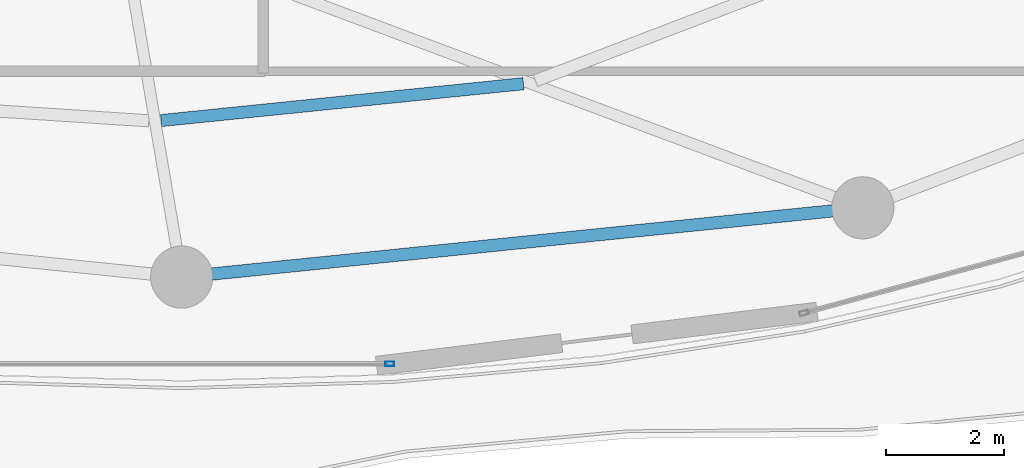
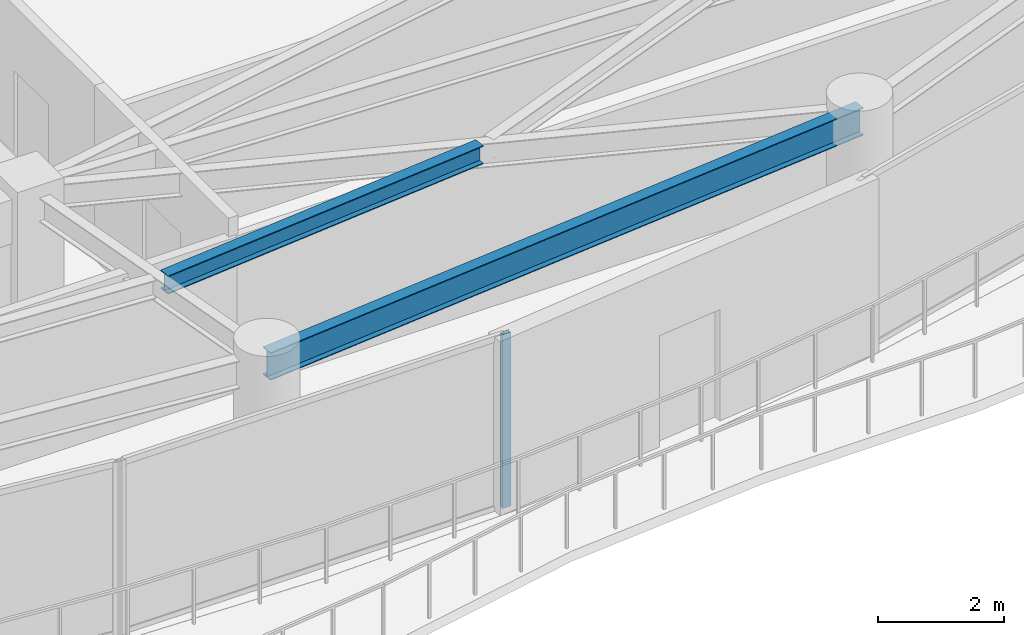
# One storey, part 9 of 28: 2 beams, 1 member, 1 element without a shape of its own.
"""IFC4 building model written with IfcOpenShell, lengths in metres."""

from ifc_helpers import new_model, si_unit, direction, frame, origin, origin_2d, place, context, subcontext, project, spatial, hollow_rectangle, i_section, extrude, material, layer, layer_set, material_profile, profile_set, type_object, element, aggregate, save


model = new_model("IFC4")

# Units and contexts
model_context = context("Model", 3, precision=1e-05, world=origin(), true_north=direction((0.0, 1.0)))
body_context = subcontext(model_context, "Body", "Model", "MODEL_VIEW")
ifc_project = project(units=[si_unit("LENGTHUNIT", "METRE"), si_unit("AREAUNIT", "SQUARE_METRE"), si_unit("VOLUMEUNIT", "CUBIC_METRE"), si_unit("PLANEANGLEUNIT", "RADIAN"), si_unit("MASSUNIT", "GRAM", prefix="KILO")], contexts=[model_context])

# Site, building, storey
site_placement = place(None, origin())
site = spatial("IfcSite", under=ifc_project, at=site_placement, CompositionType="ELEMENT")
building_placement = place(site_placement, origin())
building = spatial("IfcBuilding", under=site, at=building_placement, Name="Kazevale Care Tower and Concert Hall", CompositionType="ELEMENT")
storey_placement = place(building_placement, frame((0.0, 0.0, 246.0)))
storey = spatial("IfcBuildingStorey", under=building, at=storey_placement, Name="L65", CompositionType="ELEMENT", Elevation=246.0)

# Curtain wall, member
ifc_material_1 = material(Name="Aluminium 6063-T6 and Low-E Glass", Category="aluminium")
ifc_layer = layer(ifc_material_1, 0.179931640625)
ifc_layer_set = layer_set([ifc_layer], Name="Aluminium 6063-T6 and Low-E Glass")
curtain_wall_type = type_object("IfcCurtainWallType", Name="Sheltered Concave Balcony Curtain Wall CW-5", PredefinedType="NOTDEFINED", material=ifc_layer_set)
curtain_wall_placement = place(storey_placement, origin())
curtain_wall = element("IfcCurtainWall", 1, at=curtain_wall_placement, inside=storey, type_object=curtain_wall_type, Name="cw:L65:f06", PredefinedType="NOTDEFINED")
ifc_material_2 = material(Name="Aluminium 6063-T6", Category="aluminium")
ifc_material_profile_1 = material_profile(ifc_material_2, hollow_rectangle(XDim=0.074951171875, YDim=0.14990234375, WallThickness=0.00390625, at=origin_2d()), Name="ALU75x150x4")
ifc_profile_set_1 = profile_set([ifc_material_profile_1], Name="Aluminium 6063-T6")
member_type = type_object("IfcMemberType", Name="CW-5 Mullion ALU75x150x4", PredefinedType="MULLION", material=ifc_profile_set_1)
member_placement = place(storey_placement, frame((48.512451171875, 16.284912109375, 0.0), z_axis=(0.0, 0.0, 1.0), x_axis=(0.0, -1.0, 0.0)))
member = element("IfcMember", 2, at=member_placement, type_object=member_type, Name="CW-5 mullion 1", PredefinedType="MULLION", context=body_context, shape_type="SweptSolid", body=[
    extrude(hollow_rectangle(XDim=0.074951171875, YDim=0.14990234375, WallThickness=0.00390625, at=origin_2d()), origin(), (0.0, 0.0, 1.0), 3.360107421875),
])
aggregate(curtain_wall, [member])

# Beams
ifc_material_3 = material(Name="Steel ASTM A572 Gr 50", Category="steel")
ifc_material_profile_2 = material_profile(ifc_material_3, i_section(OverallWidth=0.205078125, OverallDepth=0.35400390625, WebThickness=0.009521484375, FlangeThickness=0.016845703125, at=origin_2d()), Name="W360x79")
ifc_profile_set_2 = profile_set([ifc_material_profile_2], Name="Steel ASTM A572 Gr 50")
beam_type_1 = type_object("IfcBeamType", Name="Secondary Floor Joist W360x79", PredefinedType="JOIST", material=ifc_profile_set_2)
beam_1_placement = place(storey_placement, frame((44.654052734375, 20.39306640625, 3.18310546875), z_axis=(0.994872697807, 0.10113513316, 0.0), x_axis=(-0.10113513316, 0.994872697807, 0.0)))
element("IfcBeam", 3, at=beam_1_placement, inside=storey, type_object=beam_type_1, Name="beam:L65:joist:13", PredefinedType="JOIST", context=body_context, shape_type="SweptSolid", body=[
    extrude(i_section(OverallWidth=0.205078125, OverallDepth=0.35400390625, WebThickness=0.009521484375, FlangeThickness=0.016845703125, at=origin_2d()), origin(), (0.0, 0.0, 1.0), 6.1484375),
])
ifc_material_profile_3 = material_profile(ifc_material_3, i_section(OverallWidth=0.208984375, OverallDepth=0.532958984375, WebThickness=0.01025390625, FlangeThickness=0.015625, at=origin_2d()), Name="W530x92")
ifc_profile_set_3 = profile_set([ifc_material_profile_3], Name="Steel ASTM A572 Gr 50")
beam_type_2 = type_object("IfcBeamType", Name="Upper Ring Beam W530x92", PredefinedType="BEAM", material=ifc_profile_set_3)
beam_2_placement = place(storey_placement, frame((45.0, 17.75, 3.093505859375), z_axis=(0.994865089307, 0.101209950492, 0.0), x_axis=(-0.101209950492, 0.994865089307, 0.0)))
element("IfcBeam", 4, at=beam_2_placement, inside=storey, type_object=beam_type_2, Name="beam:L65:ring:13", PredefinedType="BEAM", context=body_context, shape_type="SweptSolid", body=[
    extrude(i_section(OverallWidth=0.208984375, OverallDepth=0.532958984375, WebThickness=0.01025390625, FlangeThickness=0.015625, at=origin_2d()), origin(), (0.0, 0.0, 1.0), 11.559326171875),
])

save(model, "model.ifc")
